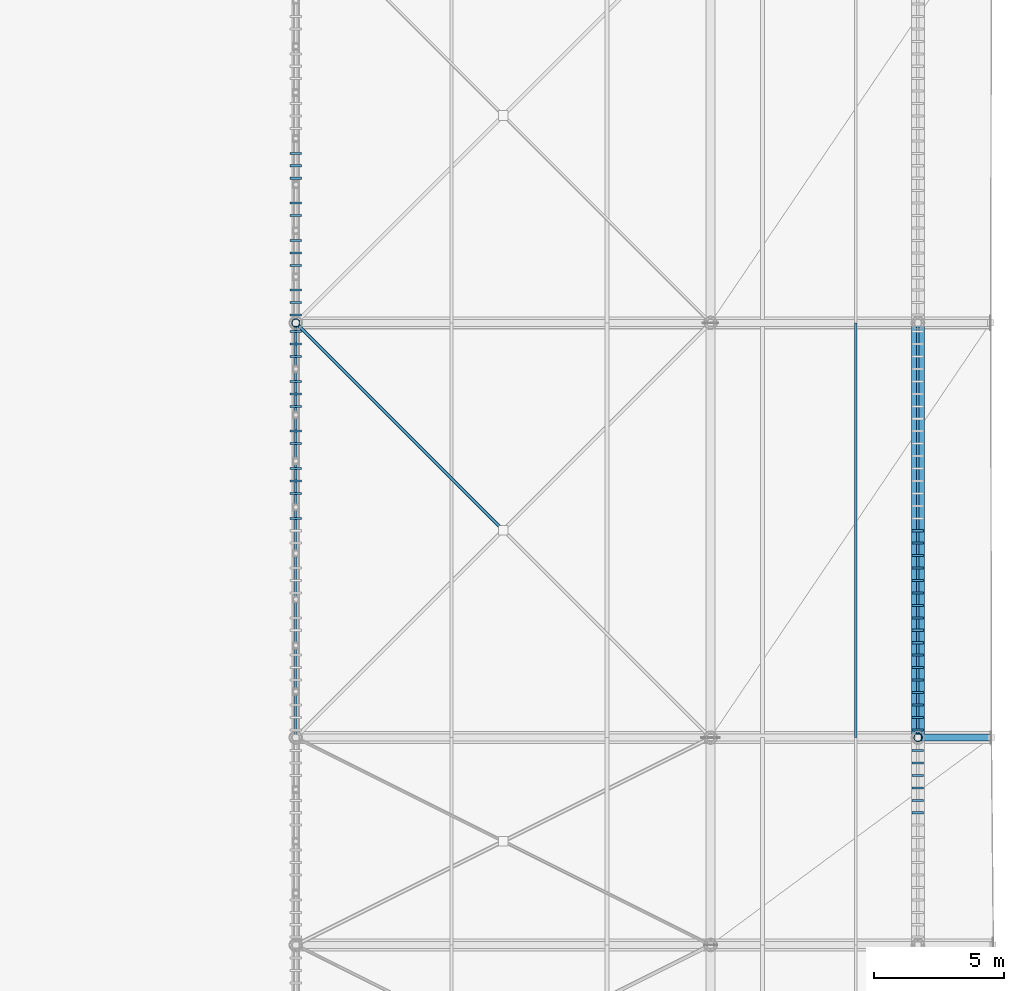
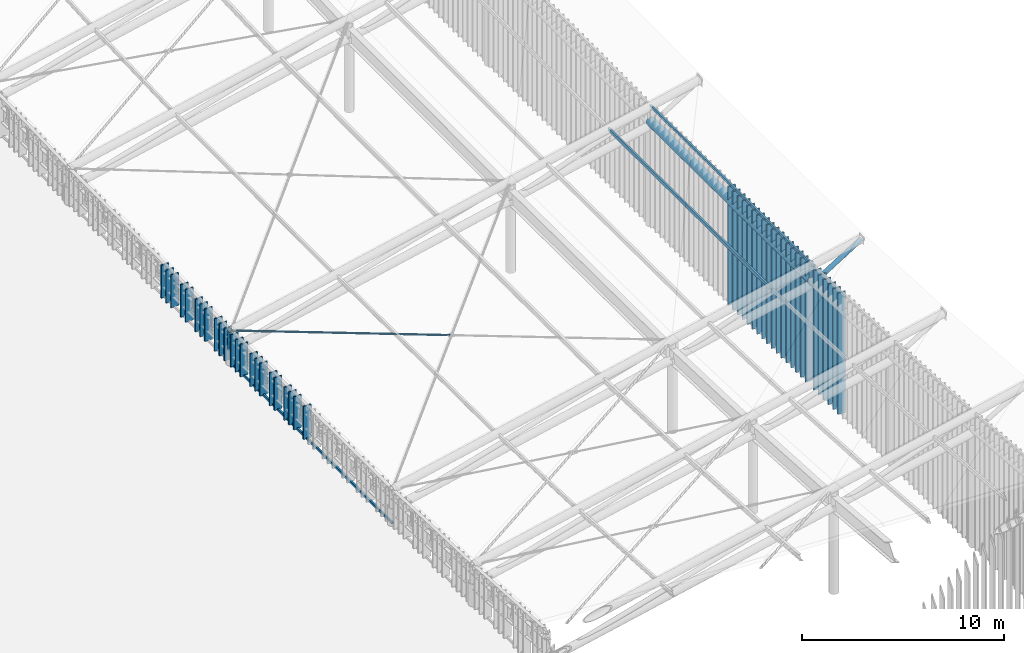
# One storey, part 7 of 25: 53 members, 1 beam.
"""IFC4 building model written with IfcOpenShell, lengths in metres."""

from ifc_helpers import new_model, si_unit, direction, frame, origin, origin_2d, place, context, subcontext, project, spatial, rectangle, hollow_rectangle, hollow_circle, extrude, material, material_profile, profile_set, type_object, element, save


model = new_model("IFC4")

# Units and contexts
model_context = context("Model", 3, precision=1e-05, world=origin(), true_north=direction((0.0, 1.0)))
body_context = subcontext(model_context, "Body", "Model", "MODEL_VIEW")
ifc_project = project(units=[si_unit("LENGTHUNIT", "METRE"), si_unit("AREAUNIT", "SQUARE_METRE"), si_unit("VOLUMEUNIT", "CUBIC_METRE"), si_unit("PLANEANGLEUNIT", "RADIAN"), si_unit("MASSUNIT", "GRAM", prefix="KILO")], contexts=[model_context])

# Site, building, storey
site_placement = place(None, origin())
site = spatial("IfcSite", under=ifc_project, at=site_placement, CompositionType="ELEMENT")
building_placement = place(site_placement, origin())
building = spatial("IfcBuilding", under=site, at=building_placement, Name="Haebicheon Civic Stadium", CompositionType="ELEMENT")
storey_placement = place(building_placement, frame((0.0, 0.0, 31.199951171875)))
storey = spatial("IfcBuildingStorey", under=building, at=storey_placement, Name="RF", CompositionType="ELEMENT", Elevation=31.199951171875)

# Members
ifc_material_1 = material(Name="White painted steel SM490", Category="steel")
ifc_material_profile_1 = material_profile(ifc_material_1, hollow_circle(Radius=0.05712890625, WallThickness=0.006103515625, at=origin_2d()), Name="CHS-114.3x6.0")
ifc_profile_set_1 = profile_set([ifc_material_profile_1], Name="White painted steel SM490")
member_type_1 = type_object("IfcMemberType", Name="BRC-CHS114", PredefinedType="BRACE", material=ifc_profile_set_1)
member_1_placement = place(storey_placement, frame((48.0, 88.0, 1.98095703125), z_axis=(0.698626478489, -0.698626478489, 0.154408831056), x_axis=(0.707106781187, 0.707106781187, 0.0)))
element("IfcMember", 1, at=member_1_placement, inside=storey, type_object=member_type_1, material=ifc_profile_set_1, Name="BR114 diagonal brace CAN-WEST canopy bay 4 B1", PredefinedType="BRACE", context=body_context, shape_type="SweptSolid", body=[
    extrude(hollow_circle(Radius=0.05712890625, WallThickness=0.006103515625, at=origin_2d()), origin(), (0.0, 0.0, 1.0), 11.37939453125),
])
ifc_material_2 = material(Name="White painted steel SM490", Category="steel")
ifc_material_profile_2 = material_profile(ifc_material_2, hollow_circle(Radius=0.1337890625, WallThickness=0.011962890625, at=origin_2d()), Name="CHS-267.4x12.0")
ifc_profile_set_2 = profile_set([ifc_material_profile_2], Name="White painted steel SM490")
member_type_2 = type_object("IfcMemberType", Name="BRC-CHS267", PredefinedType="BRACE", material=ifc_profile_set_2)
member_2_placement = place(storey_placement, frame((72.118896484375, 72.0, 6.1611328125), z_axis=(0.849184113658, 0.0, 0.528096905038), x_axis=(0.0, 1.0, 0.0)))
element("IfcMember", 2, at=member_2_placement, inside=storey, type_object=member_type_2, material=ifc_profile_set_2, Name="BR267 diagonal brace CAN-WEST truss 4 tip", PredefinedType="BRACE", context=body_context, shape_type="SweptSolid", body=[
    extrude(hollow_circle(Radius=0.1337890625, WallThickness=0.011962890625, at=origin_2d()), origin(), (0.0, 0.0, 1.0), 3.186767578125),
])
ifc_material_3 = material(Name="Acetylated timber GL28h", Category="wood")
ifc_material_profile_3 = material_profile(ifc_material_3, rectangle(XDim=0.080078125, YDim=0.43994140625, at=origin_2d()), Name="TMB-LOUV-80x440")
ifc_profile_set_3 = profile_set([ifc_material_profile_3], Name="Acetylated timber GL28h")
member_type_3 = type_object("IfcMemberType", Name="CRN-LVR-440x80", PredefinedType="PLATE", material=ifc_profile_set_3)
member_3_placement = place(storey_placement, frame((48.0, 80.4599609375, 0.050048828125), z_axis=(0.0, 0.0, 1.0), x_axis=(0.0, 1.0, 0.0)))
element("IfcMember", 3, at=member_3_placement, inside=storey, type_object=member_type_3, material=ifc_profile_set_3, Name="Crown wind-baffle slat W.4.18", PredefinedType="PLATE", context=body_context, shape_type="SweptSolid", body=[
    extrude(rectangle(XDim=0.080078125, YDim=0.43994140625, at=origin_2d()), origin(), (0.0, 0.0, 1.0), 2.0048828125),
])
member_4_placement = place(storey_placement, frame((48.0, 81.419921875, 0.050048828125), z_axis=(0.0, 0.0, 1.0), x_axis=(0.0, 1.0, 0.0)))
element("IfcMember", 4, at=member_4_placement, inside=storey, type_object=member_type_3, material=ifc_profile_set_3, Name="Crown wind-baffle slat W.4.20", PredefinedType="PLATE", context=body_context, shape_type="SweptSolid", body=[
    extrude(rectangle(XDim=0.080078125, YDim=0.43994140625, at=origin_2d()), origin(), (0.0, 0.0, 1.0), 1.9990234375),
])
member_5_placement = place(storey_placement, frame((48.0, 81.89990234375, 0.050048828125), z_axis=(0.0, 0.0, 1.0), x_axis=(0.0, 1.0, 0.0)))
element("IfcMember", 5, at=member_5_placement, inside=storey, type_object=member_type_3, material=ifc_profile_set_3, Name="Crown wind-baffle slat W.4.21", PredefinedType="PLATE", context=body_context, shape_type="SweptSolid", body=[
    extrude(rectangle(XDim=0.080078125, YDim=0.43994140625, at=origin_2d()), origin(), (0.0, 0.0, 1.0), 1.9970703125),
])
member_6_placement = place(storey_placement, frame((48.0, 82.3798828125, 0.050048828125), z_axis=(0.0, 0.0, 1.0), x_axis=(0.0, 1.0, 0.0)))
element("IfcMember", 6, at=member_6_placement, inside=storey, type_object=member_type_3, material=ifc_profile_set_3, Name="Crown wind-baffle slat W.4.22", PredefinedType="PLATE", context=body_context, shape_type="SweptSolid", body=[
    extrude(rectangle(XDim=0.080078125, YDim=0.43994140625, at=origin_2d()), origin(), (0.0, 0.0, 1.0), 1.993896484375),
])
member_7_placement = place(storey_placement, frame((48.0, 83.340087890625, 0.050048828125), z_axis=(0.0, 0.0, 1.0), x_axis=(0.0, 1.0, 0.0)))
element("IfcMember", 7, at=member_7_placement, inside=storey, type_object=member_type_3, material=ifc_profile_set_3, Name="Crown wind-baffle slat W.4.24", PredefinedType="PLATE", context=body_context, shape_type="SweptSolid", body=[
    extrude(rectangle(XDim=0.080078125, YDim=0.43994140625, at=origin_2d()), origin(), (0.0, 0.0, 1.0), 1.988037109375),
])
member_8_placement = place(storey_placement, frame((48.0, 83.820068359375, 0.050048828125), z_axis=(0.0, 0.0, 1.0), x_axis=(0.0, 1.0, 0.0)))
element("IfcMember", 8, at=member_8_placement, inside=storey, type_object=member_type_3, material=ifc_profile_set_3, Name="Crown wind-baffle slat W.4.25", PredefinedType="PLATE", context=body_context, shape_type="SweptSolid", body=[
    extrude(rectangle(XDim=0.080078125, YDim=0.43994140625, at=origin_2d()), origin(), (0.0, 0.0, 1.0), 1.985107421875),
])
member_9_placement = place(storey_placement, frame((48.0, 84.780029296875, 0.050048828125), z_axis=(0.0, 0.0, 1.0), x_axis=(0.0, 1.0, 0.0)))
element("IfcMember", 9, at=member_9_placement, inside=storey, type_object=member_type_3, material=ifc_profile_set_3, Name="Crown wind-baffle slat W.4.27", PredefinedType="PLATE", context=body_context, shape_type="SweptSolid", body=[
    extrude(rectangle(XDim=0.080078125, YDim=0.43994140625, at=origin_2d()), origin(), (0.0, 0.0, 1.0), 1.97900390625),
])
member_10_placement = place(storey_placement, frame((48.0, 85.260009765625, 0.050048828125), z_axis=(0.0, 0.0, 1.0), x_axis=(0.0, 1.0, 0.0)))
element("IfcMember", 10, at=member_10_placement, inside=storey, type_object=member_type_3, material=ifc_profile_set_3, Name="Crown wind-baffle slat W.4.28", PredefinedType="PLATE", context=body_context, shape_type="SweptSolid", body=[
    extrude(rectangle(XDim=0.080078125, YDim=0.43994140625, at=origin_2d()), origin(), (0.0, 0.0, 1.0), 1.97607421875),
])
member_11_placement = place(storey_placement, frame((48.0, 85.739990234375, 0.050048828125), z_axis=(0.0, 0.0, 1.0), x_axis=(0.0, 1.0, 0.0)))
element("IfcMember", 11, at=member_11_placement, inside=storey, type_object=member_type_3, material=ifc_profile_set_3, Name="Crown wind-baffle slat W.4.29", PredefinedType="PLATE", context=body_context, shape_type="SweptSolid", body=[
    extrude(rectangle(XDim=0.080078125, YDim=0.43994140625, at=origin_2d()), origin(), (0.0, 0.0, 1.0), 1.97412109375),
])
member_12_placement = place(storey_placement, frame((48.0, 86.699951171875, 0.050048828125), z_axis=(0.0, 0.0, 1.0), x_axis=(0.0, 1.0, 0.0)))
element("IfcMember", 12, at=member_12_placement, inside=storey, type_object=member_type_3, material=ifc_profile_set_3, Name="Crown wind-baffle slat W.4.31", PredefinedType="PLATE", context=body_context, shape_type="SweptSolid", body=[
    extrude(rectangle(XDim=0.080078125, YDim=0.43994140625, at=origin_2d()), origin(), (0.0, 0.0, 1.0), 1.968017578125),
])
member_13_placement = place(storey_placement, frame((48.0, 87.179931640625, 0.050048828125), z_axis=(0.0, 0.0, 1.0), x_axis=(0.0, 1.0, 0.0)))
element("IfcMember", 13, at=member_13_placement, inside=storey, type_object=member_type_3, material=ifc_profile_set_3, Name="Crown wind-baffle slat W.4.32", PredefinedType="PLATE", context=body_context, shape_type="SweptSolid", body=[
    extrude(rectangle(XDim=0.080078125, YDim=0.43994140625, at=origin_2d()), origin(), (0.0, 0.0, 1.0), 1.965087890625),
])
for number, where, z_axis, x_axis, name in (
    (14, (48.0, 87.659912109375, 0.050048828125), (0.0, 0.0, 1.0), (0.0, 1.0, 0.0), "Crown wind-baffle slat W.4.33"),
    (15, (48.0, 88.300048828125, 0.050048828125), (0.0, 0.0, 1.0), (0.0, 1.0, 0.0), "Crown wind-baffle slat W.5.1"),
):
    element("IfcMember", number, at=place(storey_placement, frame(where, z_axis=z_axis, x_axis=x_axis)), inside=storey, type_object=member_type_3, material=ifc_profile_set_3, Name=name, PredefinedType="PLATE", context=body_context, shape_type="SweptSolid", body=[
        extrude(rectangle(XDim=0.080078125, YDim=0.43994140625, at=origin_2d()), origin(), (0.0, 0.0, 1.0), 1.9619140625),
    ])
member_14_placement = place(storey_placement, frame((48.0, 88.780029296875, 0.050048828125), z_axis=(0.0, 0.0, 1.0), x_axis=(0.0, 1.0, 0.0)))
element("IfcMember", 16, at=member_14_placement, inside=storey, type_object=member_type_3, material=ifc_profile_set_3, Name="Crown wind-baffle slat W.5.2", PredefinedType="PLATE", context=body_context, shape_type="SweptSolid", body=[
    extrude(rectangle(XDim=0.080078125, YDim=0.43994140625, at=origin_2d()), origin(), (0.0, 0.0, 1.0), 1.965087890625),
])
member_15_placement = place(storey_placement, frame((48.0, 89.260009765625, 0.050048828125), z_axis=(0.0, 0.0, 1.0), x_axis=(0.0, 1.0, 0.0)))
element("IfcMember", 17, at=member_15_placement, inside=storey, type_object=member_type_3, material=ifc_profile_set_3, Name="Crown wind-baffle slat W.5.3", PredefinedType="PLATE", context=body_context, shape_type="SweptSolid", body=[
    extrude(rectangle(XDim=0.080078125, YDim=0.43994140625, at=origin_2d()), origin(), (0.0, 0.0, 1.0), 1.968017578125),
])
member_16_placement = place(storey_placement, frame((48.0, 90.219970703125, 0.050048828125), z_axis=(0.0, 0.0, 1.0), x_axis=(0.0, 1.0, 0.0)))
element("IfcMember", 18, at=member_16_placement, inside=storey, type_object=member_type_3, material=ifc_profile_set_3, Name="Crown wind-baffle slat W.5.5", PredefinedType="PLATE", context=body_context, shape_type="SweptSolid", body=[
    extrude(rectangle(XDim=0.080078125, YDim=0.43994140625, at=origin_2d()), origin(), (0.0, 0.0, 1.0), 1.972900390625),
])
member_17_placement = place(storey_placement, frame((48.0, 90.699951171875, 0.050048828125), z_axis=(0.0, 0.0, 1.0), x_axis=(0.0, 1.0, 0.0)))
element("IfcMember", 19, at=member_17_placement, inside=storey, type_object=member_type_3, material=ifc_profile_set_3, Name="Crown wind-baffle slat W.5.6", PredefinedType="PLATE", context=body_context, shape_type="SweptSolid", body=[
    extrude(rectangle(XDim=0.080078125, YDim=0.43994140625, at=origin_2d()), origin(), (0.0, 0.0, 1.0), 1.97607421875),
])
member_18_placement = place(storey_placement, frame((48.0, 91.179931640625, 0.050048828125), z_axis=(0.0, 0.0, 1.0), x_axis=(0.0, 1.0, 0.0)))
element("IfcMember", 20, at=member_18_placement, inside=storey, type_object=member_type_3, material=ifc_profile_set_3, Name="Crown wind-baffle slat W.5.7", PredefinedType="PLATE", context=body_context, shape_type="SweptSolid", body=[
    extrude(rectangle(XDim=0.080078125, YDim=0.43994140625, at=origin_2d()), origin(), (0.0, 0.0, 1.0), 1.97900390625),
])
member_19_placement = place(storey_placement, frame((48.0, 92.139892578125, 0.050048828125), z_axis=(0.0, 0.0, 1.0), x_axis=(0.0, 1.0, 0.0)))
element("IfcMember", 21, at=member_19_placement, inside=storey, type_object=member_type_3, material=ifc_profile_set_3, Name="Crown wind-baffle slat W.5.9", PredefinedType="PLATE", context=body_context, shape_type="SweptSolid", body=[
    extrude(rectangle(XDim=0.080078125, YDim=0.43994140625, at=origin_2d()), origin(), (0.0, 0.0, 1.0), 1.985107421875),
])
member_20_placement = place(storey_placement, frame((48.0, 92.6201171875, 0.050048828125), z_axis=(0.0, 0.0, 1.0), x_axis=(0.0, 1.0, 0.0)))
element("IfcMember", 22, at=member_20_placement, inside=storey, type_object=member_type_3, material=ifc_profile_set_3, Name="Crown wind-baffle slat W.5.10", PredefinedType="PLATE", context=body_context, shape_type="SweptSolid", body=[
    extrude(rectangle(XDim=0.080078125, YDim=0.43994140625, at=origin_2d()), origin(), (0.0, 0.0, 1.0), 1.988037109375),
])
member_21_placement = place(storey_placement, frame((48.0, 93.580078125, 0.050048828125), z_axis=(0.0, 0.0, 1.0), x_axis=(0.0, 1.0, 0.0)))
element("IfcMember", 23, at=member_21_placement, inside=storey, type_object=member_type_3, material=ifc_profile_set_3, Name="Crown wind-baffle slat W.5.12", PredefinedType="PLATE", context=body_context, shape_type="SweptSolid", body=[
    extrude(rectangle(XDim=0.080078125, YDim=0.43994140625, at=origin_2d()), origin(), (0.0, 0.0, 1.0), 1.992919921875),
])
member_22_placement = place(storey_placement, frame((48.0, 94.06005859375, 0.050048828125), z_axis=(0.0, 0.0, 1.0), x_axis=(0.0, 1.0, 0.0)))
element("IfcMember", 24, at=member_22_placement, inside=storey, type_object=member_type_3, material=ifc_profile_set_3, Name="Crown wind-baffle slat W.5.13", PredefinedType="PLATE", context=body_context, shape_type="SweptSolid", body=[
    extrude(rectangle(XDim=0.080078125, YDim=0.43994140625, at=origin_2d()), origin(), (0.0, 0.0, 1.0), 1.99609375),
])
member_23_placement = place(storey_placement, frame((48.0, 94.5400390625, 0.050048828125), z_axis=(0.0, 0.0, 1.0), x_axis=(0.0, 1.0, 0.0)))
element("IfcMember", 25, at=member_23_placement, inside=storey, type_object=member_type_3, material=ifc_profile_set_3, Name="Crown wind-baffle slat W.5.14", PredefinedType="PLATE", context=body_context, shape_type="SweptSolid", body=[
    extrude(rectangle(XDim=0.080078125, YDim=0.43994140625, at=origin_2d()), origin(), (0.0, 0.0, 1.0), 1.9990234375),
])
member_24_placement = place(storey_placement, frame((72.0, 69.10009765625, 0.050048828125), z_axis=(0.0, 0.0, 1.0), x_axis=(0.0, 1.0, 0.0)))
element("IfcMember", 26, at=member_24_placement, inside=storey, type_object=member_type_3, material=ifc_profile_set_3, Name="Crown wind-baffle slat E.3.11", PredefinedType="PLATE", context=body_context, shape_type="SweptSolid", body=[
    extrude(rectangle(XDim=0.080078125, YDim=0.43994140625, at=origin_2d()), origin(), (0.0, 0.0, 1.0), 7.321044921875),
])
member_25_placement = place(storey_placement, frame((72.0, 69.580078125, 0.050048828125), z_axis=(0.0, 0.0, 1.0), x_axis=(0.0, 1.0, 0.0)))
element("IfcMember", 27, at=member_25_placement, inside=storey, type_object=member_type_3, material=ifc_profile_set_3, Name="Crown wind-baffle slat E.3.12", PredefinedType="PLATE", context=body_context, shape_type="SweptSolid", body=[
    extrude(rectangle(XDim=0.080078125, YDim=0.43994140625, at=origin_2d()), origin(), (0.0, 0.0, 1.0), 7.302978515625),
])
member_26_placement = place(storey_placement, frame((72.0, 70.06005859375, 0.050048828125), z_axis=(0.0, 0.0, 1.0), x_axis=(0.0, 1.0, 0.0)))
element("IfcMember", 28, at=member_26_placement, inside=storey, type_object=member_type_3, material=ifc_profile_set_3, Name="Crown wind-baffle slat E.3.13", PredefinedType="PLATE", context=body_context, shape_type="SweptSolid", body=[
    extrude(rectangle(XDim=0.080078125, YDim=0.43994140625, at=origin_2d()), origin(), (0.0, 0.0, 1.0), 7.285888671875),
])
member_27_placement = place(storey_placement, frame((72.0, 70.5400390625, 0.050048828125), z_axis=(0.0, 0.0, 1.0), x_axis=(0.0, 1.0, 0.0)))
element("IfcMember", 29, at=member_27_placement, inside=storey, type_object=member_type_3, material=ifc_profile_set_3, Name="Crown wind-baffle slat E.3.14", PredefinedType="PLATE", context=body_context, shape_type="SweptSolid", body=[
    extrude(rectangle(XDim=0.080078125, YDim=0.43994140625, at=origin_2d()), origin(), (0.0, 0.0, 1.0), 7.26904296875),
])
member_28_placement = place(storey_placement, frame((72.0, 71.02001953125, 0.050048828125), z_axis=(0.0, 0.0, 1.0), x_axis=(0.0, 1.0, 0.0)))
element("IfcMember", 30, at=member_28_placement, inside=storey, type_object=member_type_3, material=ifc_profile_set_3, Name="Crown wind-baffle slat E.3.15", PredefinedType="PLATE", context=body_context, shape_type="SweptSolid", body=[
    extrude(rectangle(XDim=0.080078125, YDim=0.43994140625, at=origin_2d()), origin(), (0.0, 0.0, 1.0), 7.2509765625),
])
member_29_placement = place(storey_placement, frame((72.0, 71.5, 0.050048828125), z_axis=(0.0, 0.0, 1.0), x_axis=(0.0, 1.0, 0.0)))
element("IfcMember", 31, at=member_29_placement, inside=storey, type_object=member_type_3, material=ifc_profile_set_3, Name="Crown wind-baffle slat E.3.16", PredefinedType="PLATE", context=body_context, shape_type="SweptSolid", body=[
    extrude(rectangle(XDim=0.080078125, YDim=0.43994140625, at=origin_2d()), origin(), (0.0, 0.0, 1.0), 7.23388671875),
])
member_30_placement = place(storey_placement, frame((72.0, 72.300048828125, 0.050048828125), z_axis=(0.0, 0.0, 1.0), x_axis=(0.0, 1.0, 0.0)))
element("IfcMember", 32, at=member_30_placement, inside=storey, type_object=member_type_3, material=ifc_profile_set_3, Name="Crown wind-baffle slat E.4.1", PredefinedType="PLATE", context=body_context, shape_type="SweptSolid", body=[
    extrude(rectangle(XDim=0.080078125, YDim=0.43994140625, at=origin_2d()), origin(), (0.0, 0.0, 1.0), 7.214111328125),
])
member_31_placement = place(storey_placement, frame((72.0, 72.780029296875, 0.050048828125), z_axis=(0.0, 0.0, 1.0), x_axis=(0.0, 1.0, 0.0)))
element("IfcMember", 33, at=member_31_placement, inside=storey, type_object=member_type_3, material=ifc_profile_set_3, Name="Crown wind-baffle slat E.4.2", PredefinedType="PLATE", context=body_context, shape_type="SweptSolid", body=[
    extrude(rectangle(XDim=0.080078125, YDim=0.43994140625, at=origin_2d()), origin(), (0.0, 0.0, 1.0), 7.2109375),
])
member_32_placement = place(storey_placement, frame((72.0, 73.260009765625, 0.050048828125), z_axis=(0.0, 0.0, 1.0), x_axis=(0.0, 1.0, 0.0)))
element("IfcMember", 34, at=member_32_placement, inside=storey, type_object=member_type_3, material=ifc_profile_set_3, Name="Crown wind-baffle slat E.4.3", PredefinedType="PLATE", context=body_context, shape_type="SweptSolid", body=[
    extrude(rectangle(XDim=0.080078125, YDim=0.43994140625, at=origin_2d()), origin(), (0.0, 0.0, 1.0), 7.2080078125),
])
member_33_placement = place(storey_placement, frame((72.0, 73.739990234375, 0.050048828125), z_axis=(0.0, 0.0, 1.0), x_axis=(0.0, 1.0, 0.0)))
element("IfcMember", 35, at=member_33_placement, inside=storey, type_object=member_type_3, material=ifc_profile_set_3, Name="Crown wind-baffle slat E.4.4", PredefinedType="PLATE", context=body_context, shape_type="SweptSolid", body=[
    extrude(rectangle(XDim=0.080078125, YDim=0.43994140625, at=origin_2d()), origin(), (0.0, 0.0, 1.0), 7.2060546875),
])
member_34_placement = place(storey_placement, frame((72.0, 74.219970703125, 0.050048828125), z_axis=(0.0, 0.0, 1.0), x_axis=(0.0, 1.0, 0.0)))
element("IfcMember", 36, at=member_34_placement, inside=storey, type_object=member_type_3, material=ifc_profile_set_3, Name="Crown wind-baffle slat E.4.5", PredefinedType="PLATE", context=body_context, shape_type="SweptSolid", body=[
    extrude(rectangle(XDim=0.080078125, YDim=0.43994140625, at=origin_2d()), origin(), (0.0, 0.0, 1.0), 7.202880859375),
])
member_35_placement = place(storey_placement, frame((72.0, 74.699951171875, 0.050048828125), z_axis=(0.0, 0.0, 1.0), x_axis=(0.0, 1.0, 0.0)))
element("IfcMember", 37, at=member_35_placement, inside=storey, type_object=member_type_3, material=ifc_profile_set_3, Name="Crown wind-baffle slat E.4.6", PredefinedType="PLATE", context=body_context, shape_type="SweptSolid", body=[
    extrude(rectangle(XDim=0.080078125, YDim=0.43994140625, at=origin_2d()), origin(), (0.0, 0.0, 1.0), 7.199951171875),
])
member_36_placement = place(storey_placement, frame((72.0, 75.179931640625, 0.050048828125), z_axis=(0.0, 0.0, 1.0), x_axis=(0.0, 1.0, 0.0)))
element("IfcMember", 38, at=member_36_placement, inside=storey, type_object=member_type_3, material=ifc_profile_set_3, Name="Crown wind-baffle slat E.4.7", PredefinedType="PLATE", context=body_context, shape_type="SweptSolid", body=[
    extrude(rectangle(XDim=0.080078125, YDim=0.43994140625, at=origin_2d()), origin(), (0.0, 0.0, 1.0), 7.197021484375),
])
member_37_placement = place(storey_placement, frame((72.0, 75.659912109375, 0.050048828125), z_axis=(0.0, 0.0, 1.0), x_axis=(0.0, 1.0, 0.0)))
element("IfcMember", 39, at=member_37_placement, inside=storey, type_object=member_type_3, material=ifc_profile_set_3, Name="Crown wind-baffle slat E.4.8", PredefinedType="PLATE", context=body_context, shape_type="SweptSolid", body=[
    extrude(rectangle(XDim=0.080078125, YDim=0.43994140625, at=origin_2d()), origin(), (0.0, 0.0, 1.0), 7.194091796875),
])
member_38_placement = place(storey_placement, frame((72.0, 76.139892578125, 0.050048828125), z_axis=(0.0, 0.0, 1.0), x_axis=(0.0, 1.0, 0.0)))
element("IfcMember", 40, at=member_38_placement, inside=storey, type_object=member_type_3, material=ifc_profile_set_3, Name="Crown wind-baffle slat E.4.9", PredefinedType="PLATE", context=body_context, shape_type="SweptSolid", body=[
    extrude(rectangle(XDim=0.080078125, YDim=0.43994140625, at=origin_2d()), origin(), (0.0, 0.0, 1.0), 7.19091796875),
])
member_39_placement = place(storey_placement, frame((72.0, 76.6201171875, 0.050048828125), z_axis=(0.0, 0.0, 1.0), x_axis=(0.0, 1.0, 0.0)))
element("IfcMember", 41, at=member_39_placement, inside=storey, type_object=member_type_3, material=ifc_profile_set_3, Name="Crown wind-baffle slat E.4.10", PredefinedType="PLATE", context=body_context, shape_type="SweptSolid", body=[
    extrude(rectangle(XDim=0.080078125, YDim=0.43994140625, at=origin_2d()), origin(), (0.0, 0.0, 1.0), 7.18798828125),
])
member_40_placement = place(storey_placement, frame((72.0, 77.10009765625, 0.050048828125), z_axis=(0.0, 0.0, 1.0), x_axis=(0.0, 1.0, 0.0)))
element("IfcMember", 42, at=member_40_placement, inside=storey, type_object=member_type_3, material=ifc_profile_set_3, Name="Crown wind-baffle slat E.4.11", PredefinedType="PLATE", context=body_context, shape_type="SweptSolid", body=[
    extrude(rectangle(XDim=0.080078125, YDim=0.43994140625, at=origin_2d()), origin(), (0.0, 0.0, 1.0), 7.18505859375),
])
member_41_placement = place(storey_placement, frame((72.0, 77.580078125, 0.050048828125), z_axis=(0.0, 0.0, 1.0), x_axis=(0.0, 1.0, 0.0)))
element("IfcMember", 43, at=member_41_placement, inside=storey, type_object=member_type_3, material=ifc_profile_set_3, Name="Crown wind-baffle slat E.4.12", PredefinedType="PLATE", context=body_context, shape_type="SweptSolid", body=[
    extrude(rectangle(XDim=0.080078125, YDim=0.43994140625, at=origin_2d()), origin(), (0.0, 0.0, 1.0), 7.18310546875),
])
member_42_placement = place(storey_placement, frame((72.0, 78.06005859375, 0.050048828125), z_axis=(0.0, 0.0, 1.0), x_axis=(0.0, 1.0, 0.0)))
element("IfcMember", 44, at=member_42_placement, inside=storey, type_object=member_type_3, material=ifc_profile_set_3, Name="Crown wind-baffle slat E.4.13", PredefinedType="PLATE", context=body_context, shape_type="SweptSolid", body=[
    extrude(rectangle(XDim=0.080078125, YDim=0.43994140625, at=origin_2d()), origin(), (0.0, 0.0, 1.0), 7.179931640625),
])
member_43_placement = place(storey_placement, frame((72.0, 78.5400390625, 0.050048828125), z_axis=(0.0, 0.0, 1.0), x_axis=(0.0, 1.0, 0.0)))
element("IfcMember", 45, at=member_43_placement, inside=storey, type_object=member_type_3, material=ifc_profile_set_3, Name="Crown wind-baffle slat E.4.14", PredefinedType="PLATE", context=body_context, shape_type="SweptSolid", body=[
    extrude(rectangle(XDim=0.080078125, YDim=0.43994140625, at=origin_2d()), origin(), (0.0, 0.0, 1.0), 7.177001953125),
])
member_44_placement = place(storey_placement, frame((72.0, 79.02001953125, 0.050048828125), z_axis=(0.0, 0.0, 1.0), x_axis=(0.0, 1.0, 0.0)))
element("IfcMember", 46, at=member_44_placement, inside=storey, type_object=member_type_3, material=ifc_profile_set_3, Name="Crown wind-baffle slat E.4.15", PredefinedType="PLATE", context=body_context, shape_type="SweptSolid", body=[
    extrude(rectangle(XDim=0.080078125, YDim=0.43994140625, at=origin_2d()), origin(), (0.0, 0.0, 1.0), 7.174072265625),
])
member_45_placement = place(storey_placement, frame((72.0, 79.5, 0.050048828125), z_axis=(0.0, 0.0, 1.0), x_axis=(0.0, 1.0, 0.0)))
element("IfcMember", 47, at=member_45_placement, inside=storey, type_object=member_type_3, material=ifc_profile_set_3, Name="Crown wind-baffle slat E.4.16", PredefinedType="PLATE", context=body_context, shape_type="SweptSolid", body=[
    extrude(rectangle(XDim=0.080078125, YDim=0.43994140625, at=origin_2d()), origin(), (0.0, 0.0, 1.0), 7.1708984375),
])
member_46_placement = place(storey_placement, frame((72.0, 79.97998046875, 0.050048828125), z_axis=(0.0, 0.0, 1.0), x_axis=(0.0, 1.0, 0.0)))
element("IfcMember", 48, at=member_46_placement, inside=storey, type_object=member_type_3, material=ifc_profile_set_3, Name="Crown wind-baffle slat E.4.17", PredefinedType="PLATE", context=body_context, shape_type="SweptSolid", body=[
    extrude(rectangle(XDim=0.080078125, YDim=0.43994140625, at=origin_2d()), origin(), (0.0, 0.0, 1.0), 7.16796875),
])
ifc_material_4 = material(Name="White painted steel SM490", Category="steel")
ifc_material_profile_4 = material_profile(ifc_material_4, hollow_rectangle(XDim=0.10009765625, YDim=0.199951171875, WallThickness=0.008056640625, at=origin_2d()), Name="RHS-200x100x8.0")
ifc_profile_set_4 = profile_set([ifc_material_profile_4], Name="White painted steel SM490")
member_type_4 = type_object("IfcMemberType", Name="PRL-RHS200", PredefinedType="RAFTER", material=ifc_profile_set_4)
member_47_placement = place(storey_placement, frame((69.60009765625, 72.0, 6.705078125), z_axis=(0.0, 0.999982020255, -0.005996596282), x_axis=(-1.0, 0.0, 0.0)))
element("IfcMember", 49, at=member_47_placement, inside=storey, type_object=member_type_4, material=ifc_profile_set_4, Name="CAN-WEST canopy purlin bay 4 (90%)", PredefinedType="RAFTER", context=body_context, shape_type="SweptSolid", body=[
    extrude(hollow_rectangle(XDim=0.10009765625, YDim=0.199951171875, WallThickness=0.008056640625, at=origin_2d()), origin(), (0.0, 0.0, 1.0), 16.000244140625),
])

# Beam
ifc_material_5 = material(Name="White painted steel SM490", Category="steel")
ifc_material_profile_5 = material_profile(ifc_material_5, hollow_circle(Radius=0.25390625, WallThickness=0.02490234375, at=origin_2d()), Name="CHS-508.0x25.0")
ifc_profile_set_5 = profile_set([ifc_material_profile_5], Name="White painted steel SM490")
beam_type = type_object("IfcBeamType", Name="RB-ST-CHS508", PredefinedType="USERDEFINED", material=ifc_profile_set_5)
beam_placement = place(storey_placement, frame((72.0, 72.0, 6.337158203125), z_axis=(0.0, 0.999981928641, -0.006011854246), x_axis=(-1.0, 0.0, 0.0)))
element("IfcBeam", 50, at=beam_placement, inside=storey, type_object=beam_type, material=ifc_profile_set_5, Name="CAN-WEST polygonal ring beam RB-PIR bay 4", ObjectType="RING BEAM", PredefinedType="USERDEFINED", context=body_context, shape_type="SweptSolid", body=[
    extrude(hollow_circle(Radius=0.25390625, WallThickness=0.02490234375, at=origin_2d()), origin(), (0.0, 0.0, 1.0), 16.000244140625),
])

# Members
ifc_material_6 = material(Name="White painted steel SM490", Category="steel")
ifc_material_profile_6 = material_profile(ifc_material_6, hollow_circle(Radius=0.1591796875, WallThickness=0.013916015625, at=origin_2d()), Name="CHS-318.5x14.0")
ifc_profile_set_6 = profile_set([ifc_material_profile_6], Name="White painted steel SM490")
member_type_5 = type_object("IfcMemberType", Name="STR-CHS318", PredefinedType="STRUT", material=ifc_profile_set_6)
for number, where, z_axis, x_axis, name in (
    (51, (72.0, 72.0, 6.087158203125), (0.0, 0.0, 1.0), (1.0, 0.0, 0.0), "ST318 web strut CAN-WEST truss 4 VR"),
    (52, (48.0, 88.0, 0.8310546875), (0.0, 0.0, 1.0), (1.0, 0.0, 0.0), "ST318 web strut CAN-WEST truss 5 VB"),
):
    element("IfcMember", number, at=place(storey_placement, frame(where, z_axis=z_axis, x_axis=x_axis)), inside=storey, type_object=member_type_5, material=ifc_profile_set_6, Name=name, PredefinedType="STRUT", context=body_context, shape_type="SweptSolid", body=[
        extrude(hollow_circle(Radius=0.1591796875, WallThickness=0.013916015625, at=origin_2d()), origin(), (0.0, 0.0, 1.0), 1.14990234375),
    ])
ifc_material_7 = material(Name="Steel SM355 (S355)", Category="steel")
ifc_material_profile_7 = material_profile(ifc_material_7, hollow_rectangle(XDim=0.10009765625, YDim=0.14990234375, WallThickness=0.006103515625, at=origin_2d()), Name="RHS-150x100x6.0")
ifc_profile_set_7 = profile_set([ifc_material_profile_7], Name="Steel SM355 (S355)")
member_type_6 = type_object("IfcMemberType", Name="SUB-RHS150", PredefinedType="STRINGER", material=ifc_profile_set_7)
member_48_placement = place(storey_placement, frame((48.0, 72.0, 0.050048828125), z_axis=(0.0, 1.0, 0.0), x_axis=(-1.0, 0.0, 0.0)))
element("IfcMember", 53, at=member_48_placement, inside=storey, type_object=member_type_6, material=ifc_profile_set_7, Name="Crown baffle bottom rail W.4", PredefinedType="STRINGER", context=body_context, shape_type="SweptSolid", body=[
    extrude(hollow_rectangle(XDim=0.10009765625, YDim=0.14990234375, WallThickness=0.006103515625, at=origin_2d()), origin(), (0.0, 0.0, 1.0), 16.0),
])
member_49_placement = place(storey_placement, frame((72.0, 72.0, 7.26611328125), z_axis=(0.0, 0.999982020255, -0.005996596282), x_axis=(-1.0, 0.0, 0.0)))
element("IfcMember", 54, at=member_49_placement, inside=storey, type_object=member_type_6, material=ifc_profile_set_7, Name="Crown baffle top rail E.4", PredefinedType="STRINGER", context=body_context, shape_type="SweptSolid", body=[
    extrude(hollow_rectangle(XDim=0.10009765625, YDim=0.14990234375, WallThickness=0.006103515625, at=origin_2d()), origin(), (0.0, 0.0, 1.0), 16.000244140625),
])

save(model, "model.ifc")
